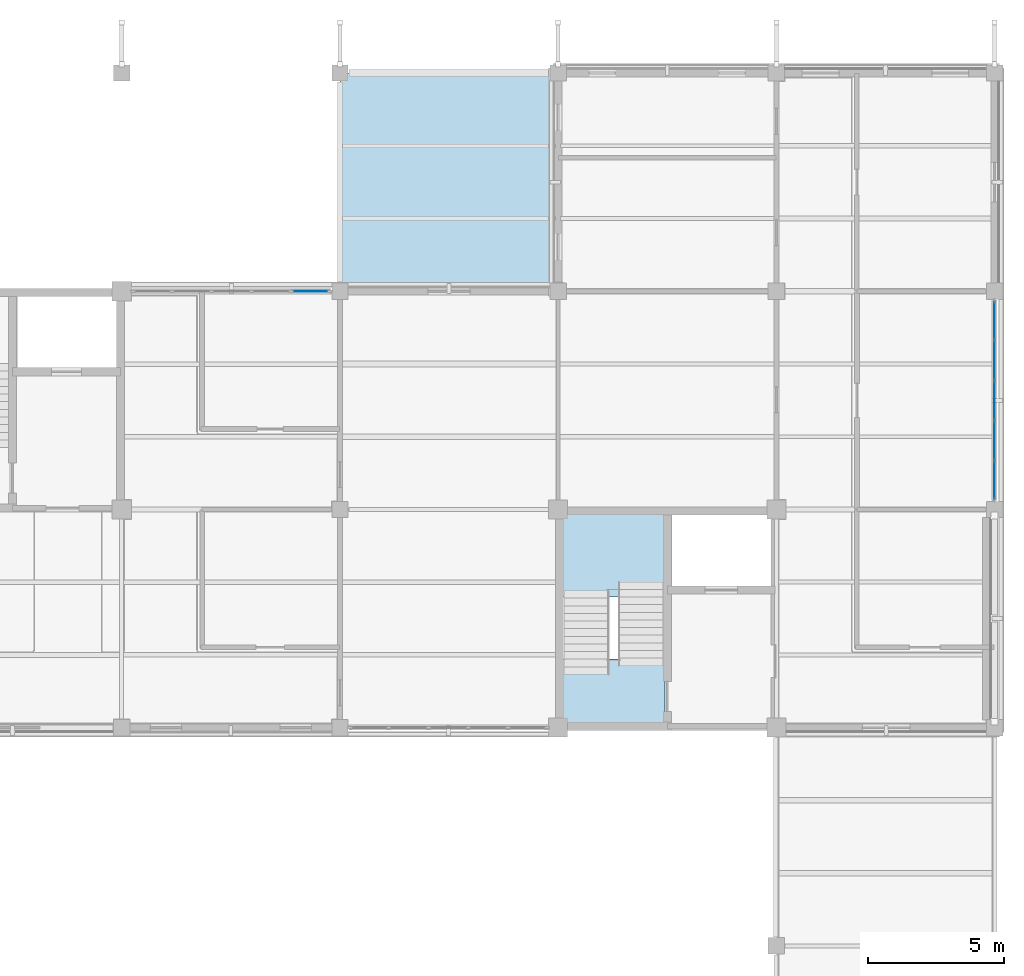
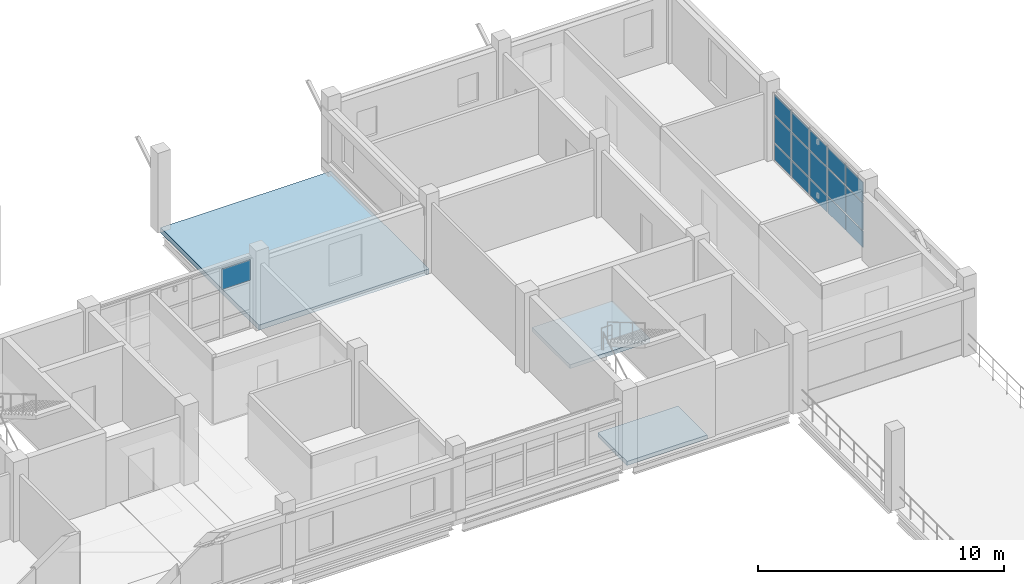
# One storey, part 18 of 35: 16 plates, 3 slabs, 3 elements without a shape of their own.
"""IFC4 building model written with IfcOpenShell, lengths in metres."""

from ifc_helpers import new_model, si_unit, derived_unit, direction, frame, origin, origin_2d, place, context, subcontext, project, spatial, polyline, rectangle, outline, extrude, material, layer, layer_set, type_object, element, aggregate, save


model = new_model("IFC4")

# Units and contexts
model_context = context("Model", 3, precision=1e-05, world=origin(), true_north=direction((0.0, 1.0)))
body_context = subcontext(model_context, "Body", "Model", "MODEL_VIEW")
ifc_project = project(units=[si_unit("LENGTHUNIT", "METRE"), si_unit("AREAUNIT", "SQUARE_METRE"), si_unit("VOLUMEUNIT", "CUBIC_METRE"), si_unit("PLANEANGLEUNIT", "RADIAN"), si_unit("MASSUNIT", "GRAM", prefix="KILO"), derived_unit("THERMALTRANSMITTANCEUNIT", [(si_unit("MASSUNIT", "GRAM", prefix="KILO"), 1), (si_unit("TIMEUNIT", "SECOND"), -3), (si_unit("THERMODYNAMICTEMPERATUREUNIT", "KELVIN"), -1)])], contexts=[model_context])

# Site, building, storey
site_placement = place(None, origin())
site = spatial("IfcSite", under=ifc_project, at=site_placement, CompositionType="ELEMENT")
building_placement = place(site_placement, origin())
building = spatial("IfcBuilding", under=site, at=building_placement, Name="Veyamyaing Civic Hall", CompositionType="ELEMENT")
storey_placement = place(building_placement, frame((0.0, 0.0, 21.780029296875)))
storey = spatial("IfcBuildingStorey", under=building, at=storey_placement, Name="L05", CompositionType="ELEMENT", Elevation=21.780029296875)

# Curtain wall, plate
ifc_material_1 = material(Name="Anodised aluminium 6063-T6", Category="aluminium")
ifc_layer_1 = layer(ifc_material_1, 0.159912109375, Name="Anodised aluminium 6063-T6")
ifc_layer_set_1 = layer_set([ifc_layer_1], Name="Anodised aluminium 6063-T6")
curtain_wall_type = type_object("IfcCurtainWallType", Name="CW-09", PredefinedType="NOTDEFINED", material=ifc_layer_set_1)
curtain_wall_1_placement = place(storey_placement, origin())
curtain_wall_1 = element("IfcCurtainWall", 1, at=curtain_wall_1_placement, inside=storey, type_object=curtain_wall_type, Name="Unitized curtain wall CW-09 L05 N 19.13", PredefinedType="NOTDEFINED")
ifc_material_2 = material(Name="Low-E insulated glass", Category="glass")
ifc_layer_2 = layer(ifc_material_2, 0.028076171875, Name="Low-E insulated glass")
ifc_layer_set_2 = layer_set([ifc_layer_2], Name="Low-E insulated glass")
plate_type_1 = type_object("IfcPlateType", Name="CWP-01", PredefinedType="CURTAIN_PANEL", material=ifc_layer_set_2)
plate_1_placement = place(storey_placement, frame((150.9248046875, 104.0, 2.391357421875), z_axis=(0.0, 0.0, 1.0), x_axis=(1.0, 0.0, 0.0)))
plate_1 = element("IfcPlate", 2, at=plate_1_placement, type_object=plate_type_1, Name="CW-09 panel 5.3", PredefinedType="CURTAIN_PANEL", context=body_context, shape_type="SweptSolid", body=[
    extrude(rectangle(XDim=1.360595703125, YDim=0.028076171875, at=origin_2d()), origin(), (0.0, 0.0, 1.0), 1.0126953125),
])
aggregate(curtain_wall_1, [plate_1])

# Curtain wall, plates
curtain_wall_2_placement = place(storey_placement, origin())
curtain_wall_2 = element("IfcCurtainWall", 3, at=curtain_wall_2_placement, inside=storey, type_object=curtain_wall_type, Name="Unitized curtain wall CW-09 L05 E 22.13", PredefinedType="NOTDEFINED")
ifc_layer_3 = layer(ifc_material_2, 0.02392578125, Name="Low-E insulated glass")
ifc_layer_set_3 = layer_set([ifc_layer_3], Name="Low-E insulated glass")
plate_type_2 = type_object("IfcPlateType", Name="CWP-04", PredefinedType="CURTAIN_PANEL", material=ifc_layer_set_3)
plate_2_placement = place(storey_placement, frame((176.0, 97.080322265625, 0.06494140625), z_axis=(0.0, 0.0, 1.0), x_axis=(0.0, 1.0, 0.0)))
plate_2 = element("IfcPlate", 4, at=plate_2_placement, type_object=plate_type_2, Name="CW-09 panel 1.1", PredefinedType="CURTAIN_PANEL", context=body_context, shape_type="SweptSolid", body=[
    extrude(rectangle(XDim=1.37060546875, YDim=0.02392578125, at=origin_2d()), origin(), (0.0, 0.0, 1.0), 0.802490234375),
])
plate_3_placement = place(storey_placement, frame((176.0, 97.080322265625, 0.9326171875), z_axis=(0.0, 0.0, 1.0), x_axis=(0.0, 1.0, 0.0)))
plate_3 = element("IfcPlate", 5, at=plate_3_placement, type_object=plate_type_2, Name="CW-09 panel 1.2", PredefinedType="CURTAIN_PANEL", context=body_context, shape_type="SweptSolid", body=[
    extrude(rectangle(XDim=1.37060546875, YDim=0.02392578125, at=origin_2d()), origin(), (0.0, 0.0, 1.0), 1.327880859375),
])
plate_4_placement = place(storey_placement, frame((176.0, 97.080322265625, 2.325439453125), z_axis=(0.0, 0.0, 1.0), x_axis=(0.0, 1.0, 0.0)))
plate_4 = element("IfcPlate", 6, at=plate_4_placement, type_object=plate_type_2, Name="CW-09 panel 1.3", PredefinedType="CURTAIN_PANEL", context=body_context, shape_type="SweptSolid", body=[
    extrude(rectangle(XDim=1.37060546875, YDim=0.02392578125, at=origin_2d()), origin(), (0.0, 0.0, 1.0), 0.9814453125),
])
plate_5_placement = place(storey_placement, frame((176.0, 98.531982421875, 0.06494140625), z_axis=(0.0, 0.0, 1.0), x_axis=(0.0, 1.0, 0.0)))
plate_5 = element("IfcPlate", 7, at=plate_5_placement, type_object=plate_type_2, Name="CW-09 panel 2.1", PredefinedType="CURTAIN_PANEL", context=body_context, shape_type="SweptSolid", body=[
    extrude(rectangle(XDim=1.403076171875, YDim=0.02392578125, at=origin_2d()), origin(), (0.0, 0.0, 1.0), 0.802490234375),
])
plate_6_placement = place(storey_placement, frame((176.0, 98.531982421875, 0.9326171875), z_axis=(0.0, 0.0, 1.0), x_axis=(0.0, 1.0, 0.0)))
plate_6 = element("IfcPlate", 8, at=plate_6_placement, type_object=plate_type_2, Name="CW-09 panel 2.2", PredefinedType="CURTAIN_PANEL", context=body_context, shape_type="SweptSolid", body=[
    extrude(rectangle(XDim=1.403076171875, YDim=0.02392578125, at=origin_2d()), origin(), (0.0, 0.0, 1.0), 1.327880859375),
])
plate_7_placement = place(storey_placement, frame((176.0, 98.531982421875, 2.325439453125), z_axis=(0.0, 0.0, 1.0), x_axis=(0.0, 1.0, 0.0)))
plate_7 = element("IfcPlate", 9, at=plate_7_placement, type_object=plate_type_2, Name="CW-09 panel 2.3", PredefinedType="CURTAIN_PANEL", context=body_context, shape_type="SweptSolid", body=[
    extrude(rectangle(XDim=1.403076171875, YDim=0.02392578125, at=origin_2d()), origin(), (0.0, 0.0, 1.0), 0.9814453125),
])
plate_8_placement = place(storey_placement, frame((176.0, 100.0, 0.06494140625), z_axis=(0.0, 0.0, 1.0), x_axis=(0.0, 1.0, 0.0)))
plate_8 = element("IfcPlate", 10, at=plate_8_placement, type_object=plate_type_2, Name="CW-09 panel 3.1", PredefinedType="CURTAIN_PANEL", context=body_context, shape_type="SweptSolid", body=[
    extrude(rectangle(XDim=1.403076171875, YDim=0.02392578125, at=origin_2d()), origin(), (0.0, 0.0, 1.0), 0.802490234375),
])
plate_9_placement = place(storey_placement, frame((176.0, 100.0, 0.9326171875), z_axis=(0.0, 0.0, 1.0), x_axis=(0.0, 1.0, 0.0)))
plate_9 = element("IfcPlate", 11, at=plate_9_placement, type_object=plate_type_2, Name="CW-09 panel 3.2", PredefinedType="CURTAIN_PANEL", context=body_context, shape_type="SweptSolid", body=[
    extrude(rectangle(XDim=1.403076171875, YDim=0.02392578125, at=origin_2d()), origin(), (0.0, 0.0, 1.0), 1.327880859375),
])
plate_10_placement = place(storey_placement, frame((176.0, 100.0, 2.325439453125), z_axis=(0.0, 0.0, 1.0), x_axis=(0.0, 1.0, 0.0)))
plate_10 = element("IfcPlate", 12, at=plate_10_placement, type_object=plate_type_2, Name="CW-09 panel 3.3", PredefinedType="CURTAIN_PANEL", context=body_context, shape_type="SweptSolid", body=[
    extrude(rectangle(XDim=1.403076171875, YDim=0.02392578125, at=origin_2d()), origin(), (0.0, 0.0, 1.0), 0.9814453125),
])
plate_11_placement = place(storey_placement, frame((176.0, 101.468017578125, 0.06494140625), z_axis=(0.0, 0.0, 1.0), x_axis=(0.0, 1.0, 0.0)))
plate_11 = element("IfcPlate", 13, at=plate_11_placement, type_object=plate_type_2, Name="CW-09 panel 4.1", PredefinedType="CURTAIN_PANEL", context=body_context, shape_type="SweptSolid", body=[
    extrude(rectangle(XDim=1.403076171875, YDim=0.02392578125, at=origin_2d()), origin(), (0.0, 0.0, 1.0), 0.802490234375),
])
plate_12_placement = place(storey_placement, frame((176.0, 101.468017578125, 0.9326171875), z_axis=(0.0, 0.0, 1.0), x_axis=(0.0, 1.0, 0.0)))
plate_12 = element("IfcPlate", 14, at=plate_12_placement, type_object=plate_type_2, Name="CW-09 panel 4.2", PredefinedType="CURTAIN_PANEL", context=body_context, shape_type="SweptSolid", body=[
    extrude(rectangle(XDim=1.403076171875, YDim=0.02392578125, at=origin_2d()), origin(), (0.0, 0.0, 1.0), 1.327880859375),
])
plate_13_placement = place(storey_placement, frame((176.0, 101.468017578125, 2.325439453125), z_axis=(0.0, 0.0, 1.0), x_axis=(0.0, 1.0, 0.0)))
plate_13 = element("IfcPlate", 15, at=plate_13_placement, type_object=plate_type_2, Name="CW-09 panel 4.3", PredefinedType="CURTAIN_PANEL", context=body_context, shape_type="SweptSolid", body=[
    extrude(rectangle(XDim=1.403076171875, YDim=0.02392578125, at=origin_2d()), origin(), (0.0, 0.0, 1.0), 0.9814453125),
])
plate_14_placement = place(storey_placement, frame((176.0, 102.919677734375, 0.06494140625), z_axis=(0.0, 0.0, 1.0), x_axis=(0.0, 1.0, 0.0)))
plate_14 = element("IfcPlate", 16, at=plate_14_placement, type_object=plate_type_2, Name="CW-09 panel 5.1", PredefinedType="CURTAIN_PANEL", context=body_context, shape_type="SweptSolid", body=[
    extrude(rectangle(XDim=1.37060546875, YDim=0.02392578125, at=origin_2d()), origin(), (0.0, 0.0, 1.0), 0.802490234375),
])
plate_15_placement = place(storey_placement, frame((176.0, 102.919677734375, 0.9326171875), z_axis=(0.0, 0.0, 1.0), x_axis=(0.0, 1.0, 0.0)))
plate_15 = element("IfcPlate", 17, at=plate_15_placement, type_object=plate_type_2, Name="CW-09 panel 5.2", PredefinedType="CURTAIN_PANEL", context=body_context, shape_type="SweptSolid", body=[
    extrude(rectangle(XDim=1.37060546875, YDim=0.02392578125, at=origin_2d()), origin(), (0.0, 0.0, 1.0), 1.327880859375),
])
plate_16_placement = place(storey_placement, frame((176.0, 102.919677734375, 2.325439453125), z_axis=(0.0, 0.0, 1.0), x_axis=(0.0, 1.0, 0.0)))
plate_16 = element("IfcPlate", 18, at=plate_16_placement, type_object=plate_type_2, Name="CW-09 panel 5.3", PredefinedType="CURTAIN_PANEL", context=body_context, shape_type="SweptSolid", body=[
    extrude(rectangle(XDim=1.37060546875, YDim=0.02392578125, at=origin_2d()), origin(), (0.0, 0.0, 1.0), 0.9814453125),
])
aggregate(curtain_wall_2, [plate_2, plate_3, plate_4, plate_5, plate_6, plate_7, plate_8, plate_9, plate_10, plate_11, plate_12, plate_13, plate_14, plate_15, plate_16])

# Slabs
ifc_material_3 = material(Name="Concrete C40/50", Category="concrete")
ifc_layer_4 = layer(ifc_material_3, 0.25, Name="Concrete C40/50")
ifc_layer_set_4 = layer_set([ifc_layer_4], Name="Concrete C40/50")
slab_type_1 = type_object("IfcSlabType", Name="SL-10", PredefinedType="ROOF", material=ifc_layer_set_4)
slab_1_placement = place(storey_placement, frame((0.0, 0.0, -0.25)))
element("IfcSlab", 19, at=slab_1_placement, inside=storey, type_object=slab_type_1, Name="Roof slab SL-10 L05 V4NE.1", PredefinedType="ROOF", context=body_context, shape_type="SweptSolid", body=[
    extrude(outline(polyline([(160.0, 104.0), (160.0, 112.0), (152.0, 112.0), (152.0, 104.0), (160.0, 104.0)])), origin(), (0.0, 0.0, 1.0), 0.25),
])
ifc_layer_5 = layer(ifc_material_3, 0.199951171875, Name="Concrete C40/50")
ifc_layer_set_5 = layer_set([ifc_layer_5], Name="Concrete C40/50")
slab_type_2 = type_object("IfcSlabType", Name="SL-16", PredefinedType="FLOOR", material=ifc_layer_set_5)
slab_2_placement = place(storey_placement, frame((0.0, 0.0, -0.199951171875)))
element("IfcSlab", 20, at=slab_2_placement, inside=storey, type_object=slab_type_2, Name="Stair floor landing slab SL-16 ST-03 L05", PredefinedType="FLOOR", context=body_context, shape_type="SweptSolid", body=[
    extrude(outline(polyline([(160.139892578125, 88.139892578125), (163.909912109375, 88.139892578125), (163.909912109375, 90.52001953125), (160.139892578125, 90.52001953125), (160.139892578125, 88.139892578125)])), origin(), (0.0, 0.0, 1.0), 0.199951171875),
])

# Stair, slab
stair_type = type_object("IfcStairType", Name="ST-D", PredefinedType="HALF_TURN_STAIR", material=ifc_material_3)
stair_placement = place(storey_placement, origin())
stair = element("IfcStair", 21, at=stair_placement, inside=storey, type_object=stair_type, Name="Protected exit stair ST-03 L05", PredefinedType="HALF_TURN_STAIR")
ifc_layer_6 = layer(ifc_material_3, 0.195068359375, Name="Concrete C40/50")
ifc_layer_set_6 = layer_set([ifc_layer_6], Name="Concrete C40/50")
slab_type_3 = type_object("IfcSlabType", Name="SL-LND", PredefinedType="LANDING", material=ifc_layer_set_6)
slab_3_placement = place(storey_placement, frame((0.0, 0.0, 1.784912109375)))
slab_3 = element("IfcSlab", 22, at=slab_3_placement, type_object=slab_type_3, Name="ST-03 landing 1", PredefinedType="LANDING", context=body_context, shape_type="SweptSolid", body=[
    extrude(outline(polyline([(160.139892578125, 92.7900390625), (163.909912109375, 92.7900390625), (163.909912109375, 95.860107421875), (160.139892578125, 95.860107421875), (160.139892578125, 92.7900390625)])), origin(), (0.0, 0.0, 1.0), 0.195068359375),
])
aggregate(stair, [slab_3])

save(model, "model.ifc")
